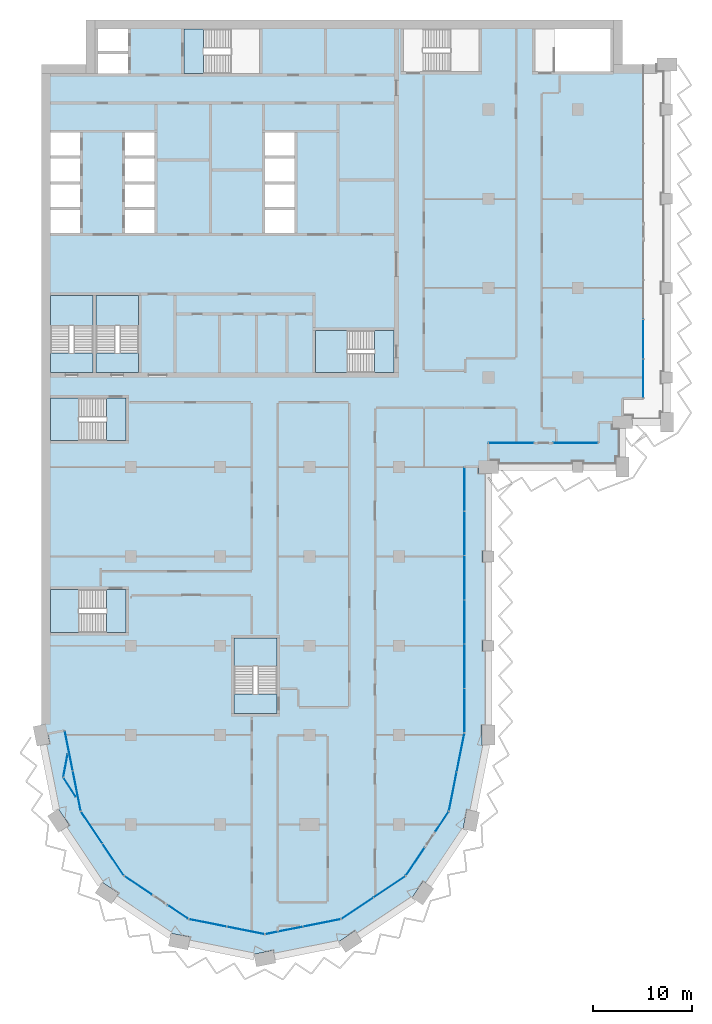
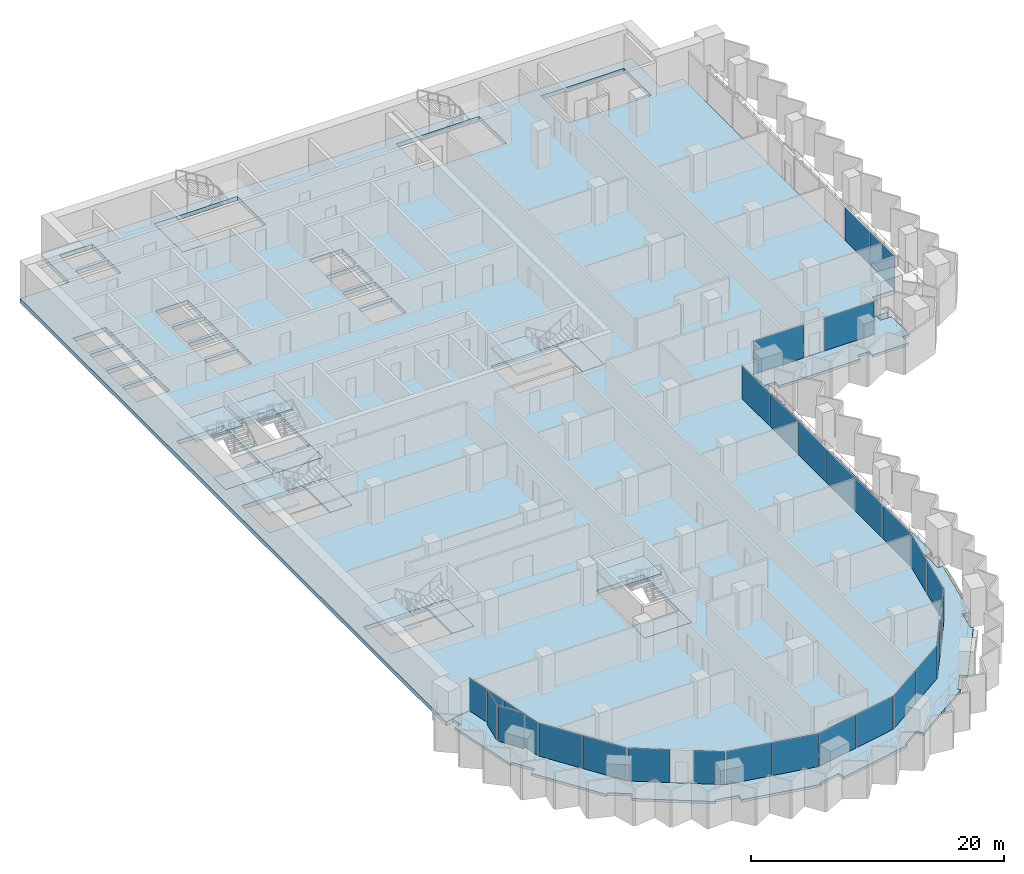
# One storey, part 8 of 22: 28 plates, 16 slabs, 22 elements without a shape of their own.
"""IFC4 building model written with IfcOpenShell, lengths in metres."""

from ifc_helpers import new_model, si_unit, direction, frame, origin, origin_2d, place, context, subcontext, project, spatial, polyline, rectangle, outline, extrude, material, layer, layer_set, type_object, element, aggregate, save


model = new_model("IFC4")

# Units and contexts
model_context = context("Model", 3, precision=1e-05, world=origin(), true_north=direction((0.0, 1.0)))
body_context = subcontext(model_context, "Body", "Model", "MODEL_VIEW")
ifc_project = project(units=[si_unit("LENGTHUNIT", "METRE"), si_unit("AREAUNIT", "SQUARE_METRE"), si_unit("VOLUMEUNIT", "CUBIC_METRE"), si_unit("PLANEANGLEUNIT", "RADIAN"), si_unit("MASSUNIT", "GRAM", prefix="KILO")], contexts=[model_context])

# Site, building, storey
site_placement = place(None, origin())
site = spatial("IfcSite", under=ifc_project, at=site_placement, CompositionType="ELEMENT")
building_placement = place(site_placement, origin())
building = spatial("IfcBuilding", under=site, at=building_placement, Name="Hunhe Ridgeline Campus", CompositionType="ELEMENT")
storey_placement = place(building_placement, frame((0.0, 0.0, 174.5)))
storey = spatial("IfcBuildingStorey", under=building, at=storey_placement, Name="L44", CompositionType="ELEMENT", Elevation=174.5)

# Curtain wall, plates
ifc_material_1 = material(Name="Aluminium 6063", Category="aluminium")
curtain_wall_type_1 = type_object("IfcCurtainWallType", Name="Curtain wall CW-5", PredefinedType="NOTDEFINED", material=ifc_material_1)
curtain_wall_1_placement = place(storey_placement, origin())
curtain_wall_1 = element("IfcCurtainWall", 1, at=curtain_wall_1_placement, inside=storey, type_object=curtain_wall_type_1, Name="Curtain wall 01", PredefinedType="NOTDEFINED")
ifc_material_2 = material(Name="Low-e laminated glass", Category="glass")
ifc_layer_1 = layer(ifc_material_2, 0.028076171875)
ifc_layer_set_1 = layer_set([ifc_layer_1], Name="Curtain wall glass panel 28 low-e laminated")
plate_type = type_object("IfcPlateType", Name="Curtain wall glass panel 28 low-e laminated", PredefinedType="CURTAIN_PANEL", material=ifc_layer_set_1)
plate_1_placement = place(storey_placement, frame((2.76318359375, 25.416015625, 0.0), z_axis=(0.0, 0.0, 1.0), x_axis=(0.195095347137, -0.980784280831, 0.0)))
plate_1 = element("IfcPlate", 2, at=plate_1_placement, type_object=plate_type, Name="CW-5 panel 1", PredefinedType="CURTAIN_PANEL", context=body_context, shape_type="SweptSolid", body=[
    extrude(rectangle(XDim=4.0458984375, YDim=0.028076171875, at=origin_2d()), origin(), (0.0, 0.0, 1.0), 3.179931640625),
])
plate_2_placement = place(storey_placement, frame((3.566162109375, 21.379150390625, 0.0), z_axis=(0.0, 0.0, 1.0), x_axis=(0.195095347137, -0.980784280831, 0.0)))
plate_2 = element("IfcPlate", 3, at=plate_2_placement, type_object=plate_type, Name="CW-5 panel 2", PredefinedType="CURTAIN_PANEL", context=body_context, shape_type="SweptSolid", body=[
    extrude(rectangle(XDim=4.0458984375, YDim=0.028076171875, at=origin_2d()), origin(), (0.0, 0.0, 1.0), 3.179931640625),
])
aggregate(curtain_wall_1, [plate_1, plate_2])

# Curtain wall, plate
curtain_wall_type_2 = type_object("IfcCurtainWallType", Name="Curtain wall CW-2", PredefinedType="NOTDEFINED", material=ifc_material_1)
curtain_wall_2_placement = place(storey_placement, origin())
curtain_wall_2 = element("IfcCurtainWall", 4, at=curtain_wall_2_placement, inside=storey, type_object=curtain_wall_type_2, Name="Curtain wall B01a", PredefinedType="NOTDEFINED")
plate_3_placement = place(storey_placement, frame((2.4248046875, 23.938720703125, 0.0), z_axis=(0.0, 0.0, 1.0), x_axis=(-0.183112559813, -0.983091954213, 0.0)))
plate_3 = element("IfcPlate", 5, at=plate_3_placement, type_object=plate_type, Name="CW-2 panel 1", PredefinedType="CURTAIN_PANEL", context=body_context, shape_type="SweptSolid", body=[
    extrude(rectangle(XDim=2.30322265625, YDim=0.028076171875, at=origin_2d()), origin(), (0.0, 0.0, 1.0), 3.389892578125),
])
aggregate(curtain_wall_2, [plate_3])

curtain_wall_3_placement = place(storey_placement, origin())
curtain_wall_3 = element("IfcCurtainWall", 6, at=curtain_wall_3_placement, inside=storey, type_object=curtain_wall_type_2, Name="Curtain wall B01b", PredefinedType="NOTDEFINED")
plate_4_placement = place(storey_placement, frame((2.86376953125, 21.73193359375, 0.0), z_axis=(0.0, 0.0, 1.0), x_axis=(0.545395474403, -0.838178845176, 0.0)))
plate_4 = element("IfcPlate", 7, at=plate_4_placement, type_object=plate_type, Name="CW-2 panel 1", PredefinedType="CURTAIN_PANEL", context=body_context, shape_type="SweptSolid", body=[
    extrude(rectangle(XDim=2.30322265625, YDim=0.028076171875, at=origin_2d()), origin(), (0.0, 0.0, 1.0), 3.389892578125),
])
aggregate(curtain_wall_3, [plate_4])

# Curtain wall, plates
curtain_wall_4_placement = place(storey_placement, origin())
curtain_wall_4 = element("IfcCurtainWall", 8, at=curtain_wall_4_placement, inside=storey, type_object=curtain_wall_type_1, Name="Curtain wall 02", PredefinedType="NOTDEFINED")
plate_5_placement = place(storey_placement, frame((5.07080078125, 17.685546875, 0.0), z_axis=(0.0, 0.0, 1.0), x_axis=(0.555570274596, -0.831469584522, 0.0)))
plate_5 = element("IfcPlate", 9, at=plate_5_placement, type_object=plate_type, Name="CW-5 panel 1", PredefinedType="CURTAIN_PANEL", context=body_context, shape_type="SweptSolid", body=[
    extrude(rectangle(XDim=3.806884765625, YDim=0.028076171875, at=origin_2d()), origin(), (0.0, 0.0, 1.0), 3.179931640625),
])
plate_6_placement = place(storey_placement, frame((7.224609375, 14.4619140625, 0.0), z_axis=(0.0, 0.0, 1.0), x_axis=(0.555570274596, -0.831469584522, 0.0)))
plate_6 = element("IfcPlate", 10, at=plate_6_placement, type_object=plate_type, Name="CW-5 panel 2", PredefinedType="CURTAIN_PANEL", context=body_context, shape_type="SweptSolid", body=[
    extrude(rectangle(XDim=3.806884765625, YDim=0.028076171875, at=origin_2d()), origin(), (0.0, 0.0, 1.0), 3.179931640625),
])
aggregate(curtain_wall_4, [plate_5, plate_6])

# Curtain wall, plate
curtain_wall_5_placement = place(storey_placement, origin())
curtain_wall_5 = element("IfcCurtainWall", 11, at=curtain_wall_5_placement, inside=storey, type_object=curtain_wall_type_1, Name="Curtain wall 03", PredefinedType="NOTDEFINED")
plate_7_placement = place(storey_placement, frame((9.76025390625, 11.859375, 0.0), z_axis=(0.0, 0.0, 1.0), x_axis=(0.831469595944, -0.555570257501, 0.0)))
plate_7 = element("IfcPlate", 12, at=plate_7_placement, type_object=plate_type, Name="CW-5 panel 1", PredefinedType="CURTAIN_PANEL", context=body_context, shape_type="SweptSolid", body=[
    extrude(rectangle(XDim=3.322021484375, YDim=0.028076171875, at=origin_2d()), origin(), (0.0, 0.0, 1.0), 3.179931640625),
])
aggregate(curtain_wall_5, [plate_7])

curtain_wall_6_placement = place(storey_placement, origin())
curtain_wall_6 = element("IfcCurtainWall", 13, at=curtain_wall_6_placement, inside=storey, type_object=curtain_wall_type_1, Name="Curtain wall 04", PredefinedType="NOTDEFINED")
plate_8_placement = place(storey_placement, frame((13.761474609375, 9.18603515625, 0.0), z_axis=(0.0, 0.0, 1.0), x_axis=(0.831469510353, -0.555570385598, 0.0)))
plate_8 = element("IfcPlate", 14, at=plate_8_placement, type_object=plate_type, Name="CW-5 panel 1", PredefinedType="CURTAIN_PANEL", context=body_context, shape_type="SweptSolid", body=[
    extrude(rectangle(XDim=2.421875, YDim=0.028076171875, at=origin_2d()), origin(), (0.0, 0.0, 1.0), 3.179931640625),
])
aggregate(curtain_wall_6, [plate_8])

# Curtain wall, plates
curtain_wall_7_placement = place(storey_placement, origin())
curtain_wall_7 = element("IfcCurtainWall", 15, at=curtain_wall_7_placement, inside=storey, type_object=curtain_wall_type_1, Name="Curtain wall 05", PredefinedType="NOTDEFINED")
plate_9_placement = place(storey_placement, frame((16.761962890625, 8.08935546875, 0.0), z_axis=(0.0, 0.0, 1.0), x_axis=(0.980785275326, -0.195090347539, 0.0)))
plate_9 = element("IfcPlate", 16, at=plate_9_placement, type_object=plate_type, Name="CW-5 panel 1", PredefinedType="CURTAIN_PANEL", context=body_context, shape_type="SweptSolid", body=[
    extrude(rectangle(XDim=3.806884765625, YDim=0.028076171875, at=origin_2d()), origin(), (0.0, 0.0, 1.0), 3.179931640625),
])
plate_10_placement = place(storey_placement, frame((20.564453125, 7.3330078125, 0.0), z_axis=(0.0, 0.0, 1.0), x_axis=(0.980785275326, -0.195090347539, 0.0)))
plate_10 = element("IfcPlate", 17, at=plate_10_placement, type_object=plate_type, Name="CW-5 panel 2", PredefinedType="CURTAIN_PANEL", context=body_context, shape_type="SweptSolid", body=[
    extrude(rectangle(XDim=3.806884765625, YDim=0.028076171875, at=origin_2d()), origin(), (0.0, 0.0, 1.0), 3.179931640625),
])
aggregate(curtain_wall_7, [plate_9, plate_10])

curtain_wall_8_placement = place(storey_placement, origin())
curtain_wall_8 = element("IfcCurtainWall", 18, at=curtain_wall_8_placement, inside=storey, type_object=curtain_wall_type_1, Name="Curtain wall 06", PredefinedType="NOTDEFINED")
plate_11_placement = place(storey_placement, frame((24.435546875, 7.3330078125, 0.0), z_axis=(0.0, 0.0, 1.0), x_axis=(0.980785275326, 0.195090347539, 0.0)))
plate_11 = element("IfcPlate", 19, at=plate_11_placement, type_object=plate_type, Name="CW-5 panel 1", PredefinedType="CURTAIN_PANEL", context=body_context, shape_type="SweptSolid", body=[
    extrude(rectangle(XDim=3.806884765625, YDim=0.028076171875, at=origin_2d()), origin(), (0.0, 0.0, 1.0), 3.179931640625),
])
plate_12_placement = place(storey_placement, frame((28.238037109375, 8.08935546875, 0.0), z_axis=(0.0, 0.0, 1.0), x_axis=(0.980785275326, 0.195090347539, 0.0)))
plate_12 = element("IfcPlate", 20, at=plate_12_placement, type_object=plate_type, Name="CW-5 panel 2", PredefinedType="CURTAIN_PANEL", context=body_context, shape_type="SweptSolid", body=[
    extrude(rectangle(XDim=3.806884765625, YDim=0.028076171875, at=origin_2d()), origin(), (0.0, 0.0, 1.0), 3.179931640625),
])
aggregate(curtain_wall_8, [plate_11, plate_12])

curtain_wall_9_placement = place(storey_placement, origin())
curtain_wall_9 = element("IfcCurtainWall", 21, at=curtain_wall_9_placement, inside=storey, type_object=curtain_wall_type_1, Name="Curtain wall 07", PredefinedType="NOTDEFINED")
plate_13_placement = place(storey_placement, frame((31.814453125, 9.57080078125, 0.0), z_axis=(0.0, 0.0, 1.0), x_axis=(0.831469584522, 0.555570274596, 0.0)))
plate_13 = element("IfcPlate", 22, at=plate_13_placement, type_object=plate_type, Name="CW-5 panel 1", PredefinedType="CURTAIN_PANEL", context=body_context, shape_type="SweptSolid", body=[
    extrude(rectangle(XDim=3.806884765625, YDim=0.028076171875, at=origin_2d()), origin(), (0.0, 0.0, 1.0), 3.179931640625),
])
plate_14_placement = place(storey_placement, frame((35.0380859375, 11.724609375, 0.0), z_axis=(0.0, 0.0, 1.0), x_axis=(0.831469584522, 0.555570274596, 0.0)))
plate_14 = element("IfcPlate", 23, at=plate_14_placement, type_object=plate_type, Name="CW-5 panel 2", PredefinedType="CURTAIN_PANEL", context=body_context, shape_type="SweptSolid", body=[
    extrude(rectangle(XDim=3.806884765625, YDim=0.028076171875, at=origin_2d()), origin(), (0.0, 0.0, 1.0), 3.179931640625),
])
aggregate(curtain_wall_9, [plate_13, plate_14])

# Curtain wall, plate
curtain_wall_10_placement = place(storey_placement, origin())
curtain_wall_10 = element("IfcCurtainWall", 24, at=curtain_wall_10_placement, inside=storey, type_object=curtain_wall_type_1, Name="Curtain wall 08", PredefinedType="NOTDEFINED")
plate_15_placement = place(storey_placement, frame((37.640625, 14.26025390625, 0.0), z_axis=(0.0, 0.0, 1.0), x_axis=(0.555570257501, 0.831469595944, 0.0)))
plate_15 = element("IfcPlate", 25, at=plate_15_placement, type_object=plate_type, Name="CW-5 panel 1", PredefinedType="CURTAIN_PANEL", context=body_context, shape_type="SweptSolid", body=[
    extrude(rectangle(XDim=3.322021484375, YDim=0.028076171875, at=origin_2d()), origin(), (0.0, 0.0, 1.0), 3.179931640625),
])
aggregate(curtain_wall_10, [plate_15])

curtain_wall_11_placement = place(storey_placement, origin())
curtain_wall_11 = element("IfcCurtainWall", 26, at=curtain_wall_11_placement, inside=storey, type_object=curtain_wall_type_1, Name="Curtain wall 09", PredefinedType="NOTDEFINED")
plate_16_placement = place(storey_placement, frame((40.31396484375, 18.261474609375, 0.0), z_axis=(0.0, 0.0, 1.0), x_axis=(0.555570385598, 0.831469510353, 0.0)))
plate_16 = element("IfcPlate", 27, at=plate_16_placement, type_object=plate_type, Name="CW-5 panel 1", PredefinedType="CURTAIN_PANEL", context=body_context, shape_type="SweptSolid", body=[
    extrude(rectangle(XDim=2.421875, YDim=0.028076171875, at=origin_2d()), origin(), (0.0, 0.0, 1.0), 3.179931640625),
])
aggregate(curtain_wall_11, [plate_16])

# Curtain wall, plates
curtain_wall_12_placement = place(storey_placement, origin())
curtain_wall_12 = element("IfcCurtainWall", 28, at=curtain_wall_12_placement, inside=storey, type_object=curtain_wall_type_1, Name="Curtain wall 10", PredefinedType="NOTDEFINED")
plate_17_placement = place(storey_placement, frame((41.42236328125, 21.321044921875, 0.0), z_axis=(0.0, 0.0, 1.0), x_axis=(0.195090299215, 0.980785284939, 0.0)))
plate_17 = element("IfcPlate", 29, at=plate_17_placement, type_object=plate_type, Name="CW-5 panel 1", PredefinedType="CURTAIN_PANEL", context=body_context, shape_type="SweptSolid", body=[
    extrude(rectangle(XDim=3.927490234375, YDim=0.028076171875, at=origin_2d()), origin(), (0.0, 0.0, 1.0), 3.179931640625),
])
plate_18_placement = place(storey_placement, frame((42.2021484375, 25.24169921875, 0.0), z_axis=(0.0, 0.0, 1.0), x_axis=(0.195090299215, 0.980785284939, 0.0)))
plate_18 = element("IfcPlate", 30, at=plate_18_placement, type_object=plate_type, Name="CW-5 panel 2", PredefinedType="CURTAIN_PANEL", context=body_context, shape_type="SweptSolid", body=[
    extrude(rectangle(XDim=3.927490234375, YDim=0.028076171875, at=origin_2d()), origin(), (0.0, 0.0, 1.0), 3.179931640625),
])
aggregate(curtain_wall_12, [plate_17, plate_18])

curtain_wall_type_3 = type_object("IfcCurtainWallType", Name="Curtain wall CW-1", PredefinedType="NOTDEFINED", material=ifc_material_1)
curtain_wall_13_placement = place(storey_placement, origin())
curtain_wall_13 = element("IfcCurtainWall", 31, at=curtain_wall_13_placement, inside=storey, type_object=curtain_wall_type_3, Name="Curtain wall 11", PredefinedType="NOTDEFINED")
plate_19_placement = place(storey_placement, frame((42.59912109375, 29.481689453125, 0.0), z_axis=(0.0, 0.0, 1.0), x_axis=(4.408911e-06, 0.99999999999, 0.0)))
plate_19 = element("IfcPlate", 32, at=plate_19_placement, type_object=plate_type, Name="CW-1 panel 1", PredefinedType="CURTAIN_PANEL", context=body_context, shape_type="SweptSolid", body=[
    extrude(rectangle(XDim=4.37060546875, YDim=0.028076171875, at=origin_2d()), origin(), (0.0, 0.0, 1.0), 3.18994140625),
])
plate_20_placement = place(storey_placement, frame((42.59912109375, 33.927490234375, 0.0), z_axis=(0.0, 0.0, 1.0), x_axis=(4.408911e-06, 0.99999999999, 0.0)))
plate_20 = element("IfcPlate", 33, at=plate_20_placement, type_object=plate_type, Name="CW-1 panel 2", PredefinedType="CURTAIN_PANEL", context=body_context, shape_type="SweptSolid", body=[
    extrude(rectangle(XDim=4.400634765625, YDim=0.028076171875, at=origin_2d()), origin(), (0.0, 0.0, 1.0), 3.18994140625),
])
plate_21_placement = place(storey_placement, frame((42.59912109375, 38.38818359375, 0.0), z_axis=(0.0, 0.0, 1.0), x_axis=(4.408911e-06, 0.99999999999, 0.0)))
plate_21 = element("IfcPlate", 34, at=plate_21_placement, type_object=plate_type, Name="CW-1 panel 3", PredefinedType="CURTAIN_PANEL", context=body_context, shape_type="SweptSolid", body=[
    extrude(rectangle(XDim=4.400634765625, YDim=0.028076171875, at=origin_2d()), origin(), (0.0, 0.0, 1.0), 3.18994140625),
])
plate_22_placement = place(storey_placement, frame((42.59912109375, 42.848876953125, 0.0), z_axis=(0.0, 0.0, 1.0), x_axis=(4.408911e-06, 0.99999999999, 0.0)))
plate_22 = element("IfcPlate", 35, at=plate_22_placement, type_object=plate_type, Name="CW-1 panel 4", PredefinedType="CURTAIN_PANEL", context=body_context, shape_type="SweptSolid", body=[
    extrude(rectangle(XDim=4.400634765625, YDim=0.028076171875, at=origin_2d()), origin(), (0.0, 0.0, 1.0), 3.18994140625),
])
plate_23_placement = place(storey_placement, frame((42.59912109375, 47.3095703125, 0.0), z_axis=(0.0, 0.0, 1.0), x_axis=(4.408911e-06, 0.99999999999, 0.0)))
plate_23 = element("IfcPlate", 36, at=plate_23_placement, type_object=plate_type, Name="CW-1 panel 5", PredefinedType="CURTAIN_PANEL", context=body_context, shape_type="SweptSolid", body=[
    extrude(rectangle(XDim=4.400634765625, YDim=0.028076171875, at=origin_2d()), origin(), (0.0, 0.0, 1.0), 3.18994140625),
])
plate_24_placement = place(storey_placement, frame((42.59912109375, 51.755126953125, 0.0), z_axis=(0.0, 0.0, 1.0), x_axis=(4.408911e-06, 0.99999999999, 0.0)))
plate_24 = element("IfcPlate", 37, at=plate_24_placement, type_object=plate_type, Name="CW-1 panel 6", PredefinedType="CURTAIN_PANEL", context=body_context, shape_type="SweptSolid", body=[
    extrude(rectangle(XDim=4.37060546875, YDim=0.028076171875, at=origin_2d()), origin(), (0.0, 0.0, 1.0), 3.18994140625),
])
aggregate(curtain_wall_13, [plate_19, plate_20, plate_21, plate_22, plate_23, plate_24])

# Curtain wall, plate
curtain_wall_14_placement = place(storey_placement, origin())
curtain_wall_14 = element("IfcCurtainWall", 38, at=curtain_wall_14_placement, inside=storey, type_object=curtain_wall_type_3, Name="Curtain wall 12", PredefinedType="NOTDEFINED")
plate_25_placement = place(storey_placement, frame((47.32470703125, 56.40087890625, 0.0), z_axis=(0.0, 0.0, 1.0), x_axis=(0.999999999999, 1.72058e-06, 0.0)))
plate_25 = element("IfcPlate", 39, at=plate_25_placement, type_object=plate_type, Name="CW-1 panel 1", PredefinedType="CURTAIN_PANEL", context=body_context, shape_type="SweptSolid", body=[
    extrude(rectangle(XDim=4.529541015625, YDim=0.028076171875, at=origin_2d()), origin(), (0.0, 0.0, 1.0), 3.18994140625),
])
aggregate(curtain_wall_14, [plate_25])

curtain_wall_15_placement = place(storey_placement, origin())
curtain_wall_15 = element("IfcCurtainWall", 40, at=curtain_wall_15_placement, inside=storey, type_object=curtain_wall_type_3, Name="Curtain wall 13", PredefinedType="NOTDEFINED")
plate_26_placement = place(storey_placement, frame((53.774169921875, 56.40087890625, 0.0), z_axis=(0.0, 0.0, 1.0), x_axis=(0.999999999999, 1.72058e-06, 0.0)))
plate_26 = element("IfcPlate", 41, at=plate_26_placement, type_object=plate_type, Name="CW-1 panel 1", PredefinedType="CURTAIN_PANEL", context=body_context, shape_type="SweptSolid", body=[
    extrude(rectangle(XDim=4.529541015625, YDim=0.028076171875, at=origin_2d()), origin(), (0.0, 0.0, 1.0), 3.18994140625),
])
aggregate(curtain_wall_15, [plate_26])

# Curtain wall, plates
curtain_wall_16_placement = place(storey_placement, origin())
curtain_wall_16 = element("IfcCurtainWall", 42, at=curtain_wall_16_placement, inside=storey, type_object=curtain_wall_type_3, Name="Curtain wall 14", PredefinedType="NOTDEFINED")
plate_27_placement = place(storey_placement, frame((60.59912109375, 62.9033203125, 0.0), z_axis=(0.0, 0.0, 1.0), x_axis=(0.0, 1.0, 0.0)))
plate_27 = element("IfcPlate", 43, at=plate_27_placement, type_object=plate_type, Name="CW-1 panel 1", PredefinedType="CURTAIN_PANEL", context=body_context, shape_type="SweptSolid", body=[
    extrude(rectangle(XDim=3.884765625, YDim=0.028076171875, at=origin_2d()), origin(), (0.0, 0.0, 1.0), 3.18994140625),
])
plate_28_placement = place(storey_placement, frame((60.59912109375, 66.86328125, 0.0), z_axis=(0.0, 0.0, 1.0), x_axis=(0.0, 1.0, 0.0)))
plate_28 = element("IfcPlate", 44, at=plate_28_placement, type_object=plate_type, Name="CW-1 panel 2", PredefinedType="CURTAIN_PANEL", context=body_context, shape_type="SweptSolid", body=[
    extrude(rectangle(XDim=3.914794921875, YDim=0.028076171875, at=origin_2d()), origin(), (0.0, 0.0, 1.0), 3.18994140625),
])
aggregate(curtain_wall_16, [plate_27, plate_28])

# Slabs
ifc_material_3 = material(Name="Concrete C40", Category="concrete")
ifc_layer_2 = layer(ifc_material_3, 0.39990234375)
ifc_layer_set_2 = layer_set([ifc_layer_2], Name="Floor slab 400 Concrete C40")
slab_type_1 = type_object("IfcSlabType", Name="Floor slab 400 Concrete C40", PredefinedType="FLOOR", material=ifc_layer_set_2)
slab_1_placement = place(storey_placement, frame((0.0, 0.0, -0.39990234375)))
element("IfcSlab", 45, at=slab_1_placement, inside=storey, type_object=slab_type_1, Name="Floor slab L44 1", PredefinedType="FLOOR", context=body_context, shape_type="SweptSolid", body=[
    extrude(outline(polyline([(2.354736328125, 27.46875), (3.974365234375, 19.326416015625), (8.321044921875, 12.821044921875), (14.826416015625, 8.474365234375), (22.5, 6.947998046875), (30.173583984375, 8.474365234375), (36.678955078125, 12.821044921875), (41.025634765625, 19.326416015625), (42.59912109375, 27.236572265625), (42.59912109375, 54.00048828125), (44.9990234375, 54.0009765625), (44.999755859375, 56.40087890625), (56.09912109375, 56.40087890625), (56.099365234375, 58.500732421875), (58.4990234375, 58.5009765625), (58.499267578125, 60.900634765625), (60.59912109375, 60.90087890625), (60.59912109375, 94.5), (58.5, 94.5), (58.5, 99.0), (4.5, 99.0), (4.5, 94.5), (0.0, 94.5), (0.0, 27.0009765625), (2.354736328125, 27.46875)]), holes=[polyline([(49.699951171875, 93.800048828125), (57.300048828125, 93.800048828125), (57.300048828125, 98.10009765625), (49.699951171875, 98.10009765625), (49.699951171875, 93.800048828125)]), polyline([(44.050048828125, 93.800048828125), (44.050048828125, 98.10009765625), (36.449951171875, 98.10009765625), (36.449951171875, 93.800048828125), (44.050048828125, 93.800048828125)]), polyline([(35.5, 67.75), (27.60009765625, 67.75), (27.60009765625, 63.5), (35.5, 63.5), (35.5, 67.75)]), polyline([(25.5, 82.75), (25.5, 85.050048828125), (22.5, 85.050048828125), (22.5, 82.75), (25.5, 82.75)]), polyline([(25.5, 82.449951171875), (22.5, 82.449951171875), (22.5, 80.14990234375), (25.5, 80.14990234375), (25.5, 82.449951171875)]), polyline([(22.5, 85.35009765625), (25.5, 85.35009765625), (25.5, 87.64990234375), (22.5, 87.64990234375), (22.5, 85.35009765625)]), polyline([(22.5, 79.85009765625), (22.5, 77.550048828125), (25.5, 77.550048828125), (25.5, 79.85009765625), (22.5, 79.85009765625)]), polyline([(19.39990234375, 29.199951171875), (23.699951171875, 29.199951171875), (23.699951171875, 36.800048828125), (19.39990234375, 36.800048828125), (19.39990234375, 29.199951171875)]), polyline([(21.949951171875, 93.60009765625), (21.949951171875, 98.10009765625), (14.35009765625, 98.10009765625), (14.35009765625, 93.60009765625), (21.949951171875, 93.60009765625)]), polyline([(8.39990234375, 79.85009765625), (8.39990234375, 77.550048828125), (11.39990234375, 77.550048828125), (11.39990234375, 79.85009765625), (8.39990234375, 79.85009765625)]), polyline([(8.39990234375, 85.35009765625), (11.39990234375, 85.35009765625), (11.39990234375, 87.64990234375), (8.39990234375, 87.64990234375), (8.39990234375, 85.35009765625)]), polyline([(11.39990234375, 82.449951171875), (8.39990234375, 82.449951171875), (8.39990234375, 80.14990234375), (11.39990234375, 80.14990234375), (11.39990234375, 82.449951171875)]), polyline([(11.39990234375, 82.75), (11.39990234375, 85.050048828125), (8.39990234375, 85.050048828125), (8.39990234375, 82.75), (11.39990234375, 82.75)]), polyline([(5.5, 71.25), (5.5, 63.5), (9.800048828125, 63.5), (9.800048828125, 71.25), (5.5, 71.25)]), polyline([(8.699951171875, 98.10009765625), (5.699951171875, 98.10009765625), (5.699951171875, 95.89990234375), (8.699951171875, 95.89990234375), (8.699951171875, 98.10009765625)]), polyline([(5.699951171875, 95.60009765625), (5.699951171875, 93.60009765625), (8.699951171875, 93.60009765625), (8.699951171875, 95.60009765625), (5.699951171875, 95.60009765625)]), polyline([(0.89990234375, 60.949951171875), (0.89990234375, 56.64990234375), (8.5, 56.64990234375), (8.5, 60.949951171875), (0.89990234375, 60.949951171875)]), polyline([(0.89990234375, 37.35009765625), (8.5, 37.35009765625), (8.5, 41.64990234375), (0.89990234375, 41.64990234375), (0.89990234375, 37.35009765625)]), polyline([(0.89990234375, 63.5), (5.199951171875, 63.5), (5.199951171875, 71.25), (0.89990234375, 71.25), (0.89990234375, 63.5)]), polyline([(3.89990234375, 82.75), (3.89990234375, 85.050048828125), (0.89990234375, 85.050048828125), (0.89990234375, 82.75), (3.89990234375, 82.75)]), polyline([(3.89990234375, 82.449951171875), (0.89990234375, 82.449951171875), (0.89990234375, 80.14990234375), (3.89990234375, 80.14990234375), (3.89990234375, 82.449951171875)]), polyline([(0.89990234375, 85.35009765625), (3.89990234375, 85.35009765625), (3.89990234375, 87.64990234375), (0.89990234375, 87.64990234375), (0.89990234375, 85.35009765625)]), polyline([(0.89990234375, 79.85009765625), (0.89990234375, 77.550048828125), (3.89990234375, 77.550048828125), (3.89990234375, 79.85009765625), (0.89990234375, 79.85009765625)])]), origin(), (0.0, 0.0, 1.0), 0.39990234375),
])
ifc_layer_3 = layer(ifc_material_3, 0.25)
ifc_layer_set_3 = layer_set([ifc_layer_3], Name="Loggia slab 250 Concrete C40")
slab_type_2 = type_object("IfcSlabType", Name="Loggia slab 250 Concrete C40", PredefinedType="FLOOR", material=ifc_layer_set_3)
slab_2_placement = place(storey_placement, frame((0.0, 0.0, -0.25)))
element("IfcSlab", 46, at=slab_2_placement, inside=storey, type_object=slab_type_2, Name="Loggia slab 1", PredefinedType="FLOOR", context=body_context, shape_type="SweptSolid", body=[
    extrude(outline(polyline([(30.173828125, 8.473388671875), (22.5, 6.947021484375), (14.826171875, 8.473388671875), (8.3203125, 12.8203125), (3.973388671875, 19.326171875), (2.35400390625, 27.46826171875), (0.637451171875, 27.126708984375), (0.83251953125, 26.14599609375), (0.195068359375, 26.019287109375), (1.50146484375, 19.451171875), (1.697509765625, 19.582275390625), (2.808837890625, 17.919189453125), (2.268310546875, 17.55810546875), (5.98876953125, 11.989990234375), (6.11962890625, 12.18603515625), (7.78271484375, 11.074951171875), (7.421630859375, 10.534423828125), (12.98974609375, 6.81396484375), (13.03564453125, 7.04541015625), (14.997314453125, 6.655029296875), (14.870361328125, 6.017578125), (21.4384765625, 4.711181640625), (21.392333984375, 4.9423828125), (23.35400390625, 5.33251953125), (23.480712890625, 4.695068359375), (30.048828125, 6.00146484375), (29.917724609375, 6.197509765625), (31.580810546875, 7.308837890625), (31.94189453125, 6.768310546875), (37.510009765625, 10.48876953125), (37.31396484375, 10.61962890625), (38.425048828125, 12.28271484375), (38.965576171875, 11.921630859375), (42.68603515625, 17.48974609375), (42.45458984375, 17.53564453125), (42.844970703125, 19.497314453125), (43.482421875, 19.370361328125), (44.801025390625, 26.0), (44.35009765625, 26.0), (44.35009765625, 28.0), (45.0, 28.0), (45.0, 35.449951171875), (44.449951171875, 35.449951171875), (44.449951171875, 36.550048828125), (45.0, 36.550048828125), (45.0, 44.449951171875), (44.449951171875, 44.449951171875), (44.449951171875, 45.550048828125), (45.0, 45.550048828125), (45.0, 53.35009765625), (44.0, 53.35009765625), (44.0, 54.0), (42.60009765625, 54.0), (42.60009765625, 27.236328125), (41.026611328125, 19.326171875), (36.6796875, 12.8203125), (30.173828125, 8.473388671875)])), origin(), (0.0, 0.0, 1.0), 0.25),
])
slab_3_placement = place(storey_placement, frame((0.0, 0.0, -0.25)))
element("IfcSlab", 47, at=slab_3_placement, inside=storey, type_object=slab_type_2, Name="Loggia slab 2", PredefinedType="FLOOR", context=body_context, shape_type="SweptSolid", body=[
    extrude(outline(polyline([(45.0, 54.64990234375), (46.0, 54.64990234375), (46.0, 54.0), (53.449951171875, 54.0), (53.449951171875, 54.550048828125), (54.550048828125, 54.550048828125), (54.550048828125, 54.0), (57.85009765625, 54.0), (57.85009765625, 55.0), (58.5, 55.0), (58.5, 57.85009765625), (57.5, 57.85009765625), (57.5, 58.5), (56.10009765625, 58.5), (56.10009765625, 56.39990234375), (45.0, 56.39990234375), (45.0, 54.64990234375)])), origin(), (0.0, 0.0, 1.0), 0.25),
])
ifc_layer_4 = layer(ifc_material_3, 0.199951171875)
ifc_layer_set_4 = layer_set([ifc_layer_4], Name="Reinforced concrete stair landing 200 Concrete C40")
slab_type_3 = type_object("IfcSlabType", Name="Reinforced concrete stair landing 200 Concrete C40", PredefinedType="LANDING", material=ifc_layer_set_4)
slab_4_placement = place(storey_placement, frame((0.0, 0.0, -0.199951171875)))
element("IfcSlab", 48, at=slab_4_placement, inside=storey, type_object=slab_type_3, Name="L44 stair S1 floor landing", PredefinedType="LANDING", context=body_context, shape_type="SweptSolid", body=[
    extrude(outline(polyline([(14.35009765625, 93.60009765625), (16.300048828125, 93.60009765625), (16.300048828125, 98.10009765625), (14.35009765625, 98.10009765625), (14.35009765625, 93.60009765625)])), origin(), (0.0, 0.0, 1.0), 0.199951171875),
])

# Stair, slab
stair_type = type_object("IfcStairType", Name="Reinforced concrete dog-leg stair 1950 Concrete C40", PredefinedType="HALF_TURN_STAIR", material=ifc_material_3)
stair_1_placement = place(storey_placement, origin())
stair_1 = element("IfcStair", 49, at=stair_1_placement, inside=storey, type_object=stair_type, Name="L44 S2", PredefinedType="HALF_TURN_STAIR")
slab_5_placement = place(storey_placement, frame((0.0, 0.0, 1.64990234375)))
slab_5 = element("IfcSlab", 50, at=slab_5_placement, type_object=slab_type_3, Name="ST2 landing 1", PredefinedType="LANDING", context=body_context, shape_type="SweptSolid", body=[
    extrude(outline(polyline([(30.75, 67.75), (27.60009765625, 67.75), (27.60009765625, 63.5), (30.75, 63.5), (30.75, 67.75)])), origin(), (0.0, 0.0, 1.0), 0.2001953125),
])
aggregate(stair_1, [slab_5])

# Slab
slab_6_placement = place(storey_placement, frame((0.0, 0.0, -0.199951171875)))
element("IfcSlab", 51, at=slab_6_placement, inside=storey, type_object=slab_type_3, Name="L44 stair S2 floor landing", PredefinedType="LANDING", context=body_context, shape_type="SweptSolid", body=[
    extrude(outline(polyline([(35.5, 67.75), (33.550048828125, 67.75), (33.550048828125, 63.5), (35.5, 63.5), (35.5, 67.75)])), origin(), (0.0, 0.0, 1.0), 0.199951171875),
])

# Stair, slab
stair_2_placement = place(storey_placement, origin())
stair_2 = element("IfcStair", 52, at=stair_2_placement, inside=storey, type_object=stair_type, Name="L44 S3", PredefinedType="HALF_TURN_STAIR")
slab_7_placement = place(storey_placement, frame((0.0, 0.0, 1.64990234375)))
slab_7 = element("IfcSlab", 53, at=slab_7_placement, type_object=slab_type_3, Name="ST3 landing 1", PredefinedType="LANDING", context=body_context, shape_type="SweptSolid", body=[
    extrude(outline(polyline([(5.199951171875, 68.25), (5.199951171875, 71.25), (0.89990234375, 71.25), (0.89990234375, 68.25), (5.199951171875, 68.25)])), origin(), (0.0, 0.0, 1.0), 0.2001953125),
])
aggregate(stair_2, [slab_7])

# Slab
slab_8_placement = place(storey_placement, frame((0.0, 0.0, -0.199951171875)))
element("IfcSlab", 54, at=slab_8_placement, inside=storey, type_object=slab_type_3, Name="L44 stair S3 floor landing", PredefinedType="LANDING", context=body_context, shape_type="SweptSolid", body=[
    extrude(outline(polyline([(5.199951171875, 63.5), (5.199951171875, 65.449951171875), (0.89990234375, 65.449951171875), (0.89990234375, 63.5), (5.199951171875, 63.5)])), origin(), (0.0, 0.0, 1.0), 0.199951171875),
])

# Stair, slab
stair_3_placement = place(storey_placement, origin())
stair_3 = element("IfcStair", 55, at=stair_3_placement, inside=storey, type_object=stair_type, Name="L44 S4", PredefinedType="HALF_TURN_STAIR")
slab_9_placement = place(storey_placement, frame((0.0, 0.0, 1.64990234375)))
slab_9 = element("IfcSlab", 56, at=slab_9_placement, type_object=slab_type_3, Name="ST4 landing 1", PredefinedType="LANDING", context=body_context, shape_type="SweptSolid", body=[
    extrude(outline(polyline([(9.800048828125, 68.25), (9.800048828125, 71.25), (5.5, 71.25), (5.5, 68.25), (9.800048828125, 68.25)])), origin(), (0.0, 0.0, 1.0), 0.2001953125),
])
aggregate(stair_3, [slab_9])

# Slab
slab_10_placement = place(storey_placement, frame((0.0, 0.0, -0.199951171875)))
element("IfcSlab", 57, at=slab_10_placement, inside=storey, type_object=slab_type_3, Name="L44 stair S4 floor landing", PredefinedType="LANDING", context=body_context, shape_type="SweptSolid", body=[
    extrude(outline(polyline([(9.800048828125, 63.5), (9.800048828125, 65.449951171875), (5.5, 65.449951171875), (5.5, 63.5), (9.800048828125, 63.5)])), origin(), (0.0, 0.0, 1.0), 0.199951171875),
])

# Stair, slab
stair_4_placement = place(storey_placement, origin())
stair_4 = element("IfcStair", 58, at=stair_4_placement, inside=storey, type_object=stair_type, Name="L44 W3", PredefinedType="HALF_TURN_STAIR")
slab_11_placement = place(storey_placement, frame((0.0, 0.0, 1.64990234375)))
slab_11 = element("IfcSlab", 59, at=slab_11_placement, type_object=slab_type_3, Name="ST9 landing 1", PredefinedType="LANDING", context=body_context, shape_type="SweptSolid", body=[
    extrude(outline(polyline([(23.699951171875, 33.949951171875), (23.699951171875, 36.800048828125), (19.39990234375, 36.800048828125), (19.39990234375, 33.949951171875), (23.699951171875, 33.949951171875)])), origin(), (0.0, 0.0, 1.0), 0.2001953125),
])
aggregate(stair_4, [slab_11])

# Slab
slab_12_placement = place(storey_placement, frame((0.0, 0.0, -0.199951171875)))
element("IfcSlab", 60, at=slab_12_placement, inside=storey, type_object=slab_type_3, Name="L44 stair W3 floor landing", PredefinedType="LANDING", context=body_context, shape_type="SweptSolid", body=[
    extrude(outline(polyline([(23.699951171875, 29.199951171875), (23.699951171875, 31.14990234375), (19.39990234375, 31.14990234375), (19.39990234375, 29.199951171875), (23.699951171875, 29.199951171875)])), origin(), (0.0, 0.0, 1.0), 0.199951171875),
])

# Stair, slab
stair_5_placement = place(storey_placement, origin())
stair_5 = element("IfcStair", 61, at=stair_5_placement, inside=storey, type_object=stair_type, Name="L44 W1", PredefinedType="HALF_TURN_STAIR")
slab_13_placement = place(storey_placement, frame((0.0, 0.0, 1.64990234375)))
slab_13 = element("IfcSlab", 62, at=slab_13_placement, type_object=slab_type_3, Name="ST11 landing 1", PredefinedType="LANDING", context=body_context, shape_type="SweptSolid", body=[
    extrude(outline(polyline([(3.75, 41.64990234375), (0.89990234375, 41.64990234375), (0.89990234375, 37.35009765625), (3.75, 37.35009765625), (3.75, 41.64990234375)])), origin(), (0.0, 0.0, 1.0), 0.2001953125),
])
aggregate(stair_5, [slab_13])

# Slab
slab_14_placement = place(storey_placement, frame((0.0, 0.0, -0.199951171875)))
element("IfcSlab", 63, at=slab_14_placement, inside=storey, type_object=slab_type_3, Name="L44 stair W1 floor landing", PredefinedType="LANDING", context=body_context, shape_type="SweptSolid", body=[
    extrude(outline(polyline([(8.5, 41.64990234375), (6.550048828125, 41.64990234375), (6.550048828125, 37.35009765625), (8.5, 37.35009765625), (8.5, 41.64990234375)])), origin(), (0.0, 0.0, 1.0), 0.199951171875),
])

# Stair, slab
stair_6_placement = place(storey_placement, origin())
stair_6 = element("IfcStair", 64, at=stair_6_placement, inside=storey, type_object=stair_type, Name="L44 W2", PredefinedType="HALF_TURN_STAIR")
slab_15_placement = place(storey_placement, frame((0.0, 0.0, 1.64990234375)))
slab_15 = element("IfcSlab", 65, at=slab_15_placement, type_object=slab_type_3, Name="ST12 landing 1", PredefinedType="LANDING", context=body_context, shape_type="SweptSolid", body=[
    extrude(outline(polyline([(3.75, 60.949951171875), (0.89990234375, 60.949951171875), (0.89990234375, 56.64990234375), (3.75, 56.64990234375), (3.75, 60.949951171875)])), origin(), (0.0, 0.0, 1.0), 0.2001953125),
])
aggregate(stair_6, [slab_15])

# Slab
slab_16_placement = place(storey_placement, frame((0.0, 0.0, -0.199951171875)))
element("IfcSlab", 66, at=slab_16_placement, inside=storey, type_object=slab_type_3, Name="L44 stair W2 floor landing", PredefinedType="LANDING", context=body_context, shape_type="SweptSolid", body=[
    extrude(outline(polyline([(8.5, 60.949951171875), (6.550048828125, 60.949951171875), (6.550048828125, 56.64990234375), (8.5, 56.64990234375), (8.5, 60.949951171875)])), origin(), (0.0, 0.0, 1.0), 0.199951171875),
])

save(model, "model.ifc")
